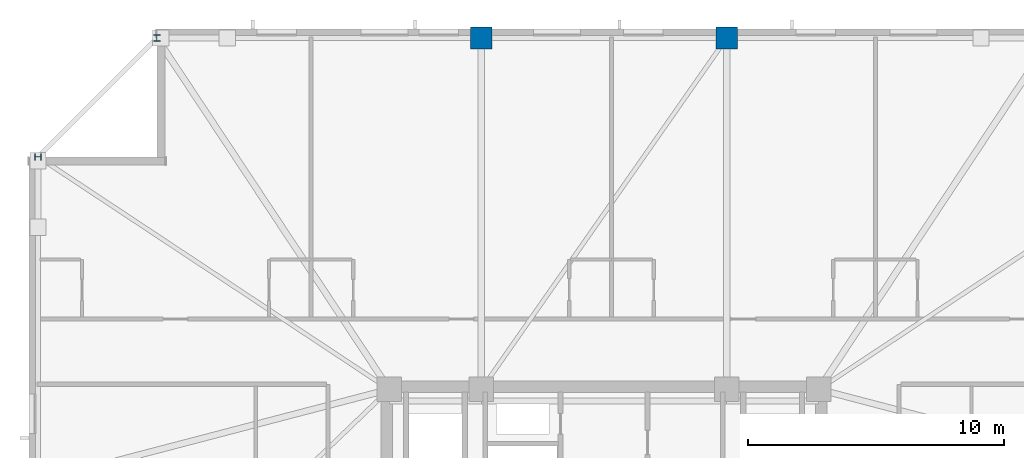
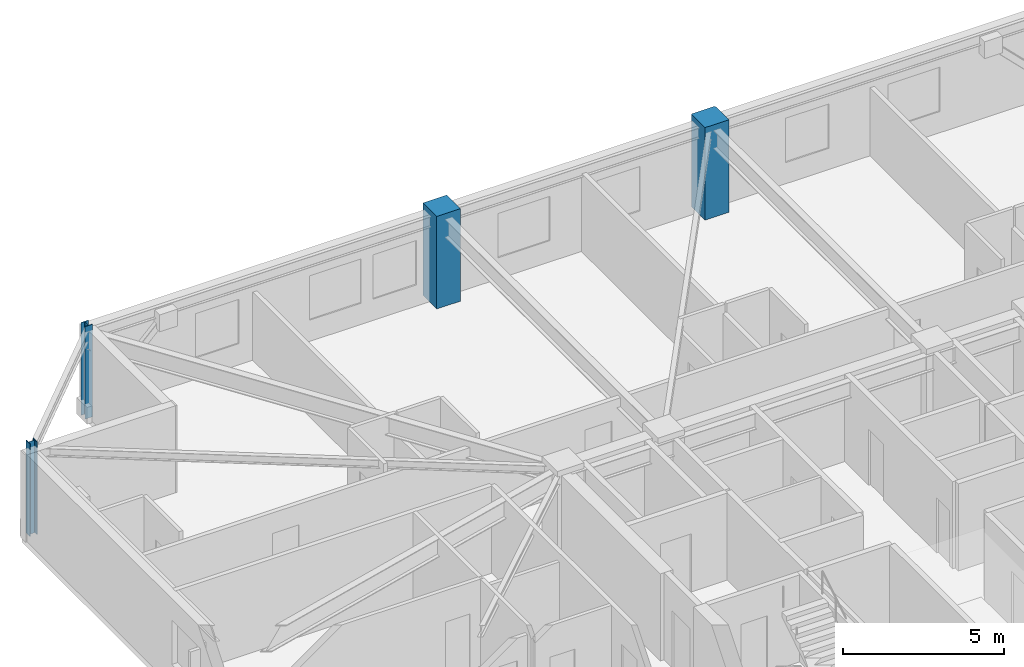
# One storey, part 4 of 17: 4 columns.
"""IFC4 building model written with IfcOpenShell, lengths in metres."""

from ifc_helpers import new_model, si_unit, direction, frame, origin, origin_2d, place, context, subcontext, project, spatial, rectangle, i_section, extrude, material, material_profile, profile_set, type_object, element, save


model = new_model("IFC4")

# Units and contexts
model_context = context("Model", 3, precision=1e-05, world=origin(), true_north=direction((0.0, 1.0)))
body_context = subcontext(model_context, "Body", "Model", "MODEL_VIEW")
ifc_project = project(units=[si_unit("LENGTHUNIT", "METRE"), si_unit("AREAUNIT", "SQUARE_METRE"), si_unit("VOLUMEUNIT", "CUBIC_METRE"), si_unit("PLANEANGLEUNIT", "RADIAN"), si_unit("MASSUNIT", "GRAM", prefix="KILO")], contexts=[model_context])

# Site, building, storey
site_placement = place(None, origin())
site = spatial("IfcSite", under=ifc_project, at=site_placement, CompositionType="ELEMENT")
building_placement = place(site_placement, origin())
building = spatial("IfcBuilding", under=site, at=building_placement, Name="Cairnveth Concourse Tower", CompositionType="ELEMENT")
storey_placement = place(building_placement, frame((0.0, 0.0, 262.0)))
storey = spatial("IfcBuildingStorey", under=building, at=storey_placement, Name="L72", CompositionType="ELEMENT", Elevation=262.0)

# Columns
ifc_material_1 = material(Name="Concrete N65 (65 MPa)", Category="concrete")
ifc_material_profile_1 = material_profile(ifc_material_1, rectangle(XDim=0.85009765625, YDim=0.85009765625, at=origin_2d()), Name="RC-COL-850x850")
ifc_profile_set_1 = profile_set([ifc_material_profile_1], Name="Concrete N65 (65 MPa)")
column_type_1 = type_object("IfcColumnType", Name="PERIMETER PIER COLUMN 850X850", PredefinedType="COLUMN", material=ifc_profile_set_1)
for number, where, z_axis, x_axis, name in (
    (1, (56.800048828125, 61.14990234375, 0.0), (0.0, 0.0, 1.0), (1.0, 0.0, 0.0), "Column P-N2 L72"),
    (2, (47.199951171875, 61.14990234375, 0.0), (0.0, 0.0, 1.0), (1.0, 0.0, 0.0), "Column P-N3 L72"),
):
    element("IfcColumn", number, at=place(storey_placement, frame(where, z_axis=z_axis, x_axis=x_axis)), inside=storey, type_object=column_type_1, Name=name, PredefinedType="COLUMN", context=body_context, shape_type="SweptSolid", body=[
        extrude(rectangle(XDim=0.85009765625, YDim=0.85009765625, at=origin_2d()), origin(), (0.0, 0.0, 1.0), 3.5),
    ])
ifc_material_2 = material(Name="Steel Grade 350", Category="steel")
ifc_material_profile_2 = material_profile(ifc_material_2, i_section(OverallWidth=0.256103515625, OverallDepth=0.260009765625, WebThickness=0.010498046875, FlangeThickness=0.017333984375, FilletRadius=0.012939453125, at=origin_2d()), Name="250UC89.5")
ifc_profile_set_2 = profile_set([ifc_material_profile_2], Name="Steel Grade 350")
column_type_2 = type_object("IfcColumnType", Name="UNIVERSAL STEEL COLUMN 250UC89.5", PredefinedType="COLUMN", material=ifc_profile_set_2)
for number, where, z_axis, x_axis, name in (
    (3, (34.5, 61.14990234375, 0.0), (0.0, 0.0, 1.0), (1.0, 0.0, 0.0), "Column P-N4 L72"),
    (4, (29.85009765625, 56.5, 0.0), (0.0, 0.0, 1.0), (0.0, 1.0, 0.0), "Column P-W1 L72"),
):
    element("IfcColumn", number, at=place(storey_placement, frame(where, z_axis=z_axis, x_axis=x_axis)), inside=storey, type_object=column_type_2, Name=name, PredefinedType="COLUMN", context=body_context, shape_type="SweptSolid", body=[
        extrude(i_section(OverallWidth=0.256103515625, OverallDepth=0.260009765625, WebThickness=0.010498046875, FlangeThickness=0.017333984375, FilletRadius=0.012939453125, at=origin_2d()), origin(), (0.0, 0.0, 1.0), 3.5),
    ])

save(model, "model.ifc")
